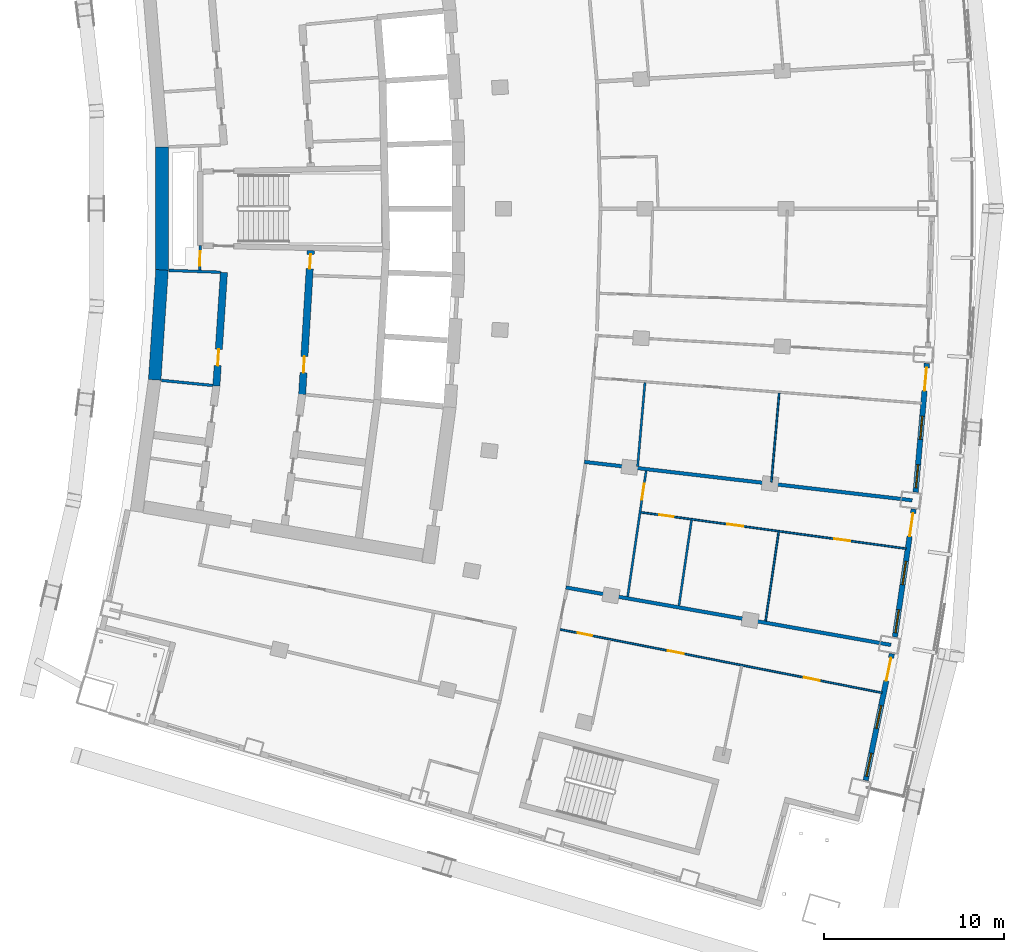
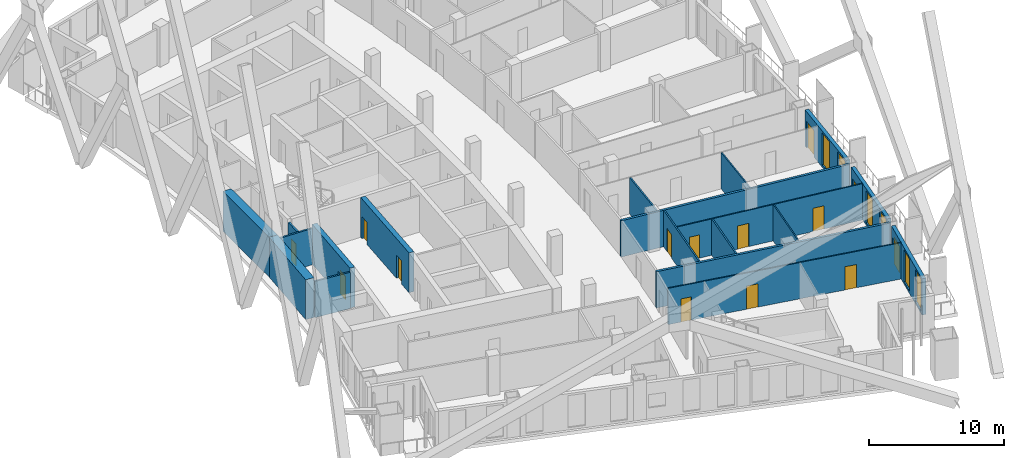
# One storey, part 13 of 22: 19 walls, 14 doors, 6 windows, 20 openings.
"""IFC4 building model written with IfcOpenShell, lengths in metres."""

from ifc_helpers import new_model, si_unit, direction, frame, frame_2d, origin, place, context, subcontext, project, spatial, rectangle, extrude, material, layer, layer_set, type_object, element, fill, save


model = new_model("IFC4")

# Units and contexts
model_context = context("Model", 3, precision=1e-05, world=origin(), true_north=direction((0.0, 1.0)))
body_context = subcontext(model_context, "Body", "Model", "MODEL_VIEW")
ifc_project = project(units=[si_unit("LENGTHUNIT", "METRE"), si_unit("AREAUNIT", "SQUARE_METRE"), si_unit("VOLUMEUNIT", "CUBIC_METRE"), si_unit("PLANEANGLEUNIT", "RADIAN"), si_unit("MASSUNIT", "GRAM", prefix="KILO")], contexts=[model_context])

# Site, building, storey
site_placement = place(None, origin())
site = spatial("IfcSite", under=ifc_project, at=site_placement, CompositionType="ELEMENT")
building_placement = place(site_placement, origin())
building = spatial("IfcBuilding", under=site, at=building_placement, Name="Alderwake Tower", CompositionType="ELEMENT")
storey_placement = place(building_placement, frame((0.0, 0.0, 160.39990234375)))
storey = spatial("IfcBuildingStorey", under=building, at=storey_placement, Name="L39", CompositionType="ELEMENT", Elevation=160.39990234375)

# Wall, opening, door
ifc_material_1 = material(Name="Gypsum shaft wall system, rated")
ifc_layer_1 = layer(ifc_material_1, 0.14990234375)
ifc_layer_set_1 = layer_set([ifc_layer_1], Name="Core room partition 150")
wall_type_1 = type_object("IfcWallType", Name="Core room partition 150", PredefinedType="PARTITIONING", material=ifc_layer_set_1)
wall_1_placement = place(storey_placement, frame((18.918701171875, 58.94384765625, 0.0), z_axis=(0.0, 0.0, 1.0), x_axis=(-0.027811602725, -0.999613182563, 0.0)))
wall_1 = element("IfcWall", 1, at=wall_1_placement, inside=storey, type_object=wall_type_1, Name="CW/L39/PA+24_-37", PredefinedType="PARTITIONING", context=body_context, shape_type="SweptSolid", body=[
    extrude(rectangle(XDim=1.369384765625, YDim=0.14990234375, at=frame_2d((0.6845703125, 0.0))), origin(), (0.0, 0.0, 1.0), 3.280029296875),
])
opening_1_placement = place(wall_1_placement, frame((0.322998046875, 0.0, 0.0)))
opening_1 = element("IfcOpeningElement", 2, at=opening_1_placement, cuts=wall_1, Name="Opening C004", PredefinedType="OPENING", context=body_context, shape_type="SweptSolid", body=[
    extrude(rectangle(XDim=0.800048828125, YDim=2.0, at=frame_2d((0.39990234375, 1.0))), frame((0.0, 0.0849609375, 0.0), z_axis=(0.0, -1.0, 0.0), x_axis=(1.0, 0.0, 0.0)), (0.0, 0.0, 1.0), 0.169921875),
])
ifc_material_2 = material(Name="Painted steel leaf, rated", Category="steel")
door_type_1 = type_object("IfcDoorType", Name="Riser access door 800", OperationType="SINGLE_SWING_LEFT", PredefinedType="DOOR", material=ifc_material_2)
door_1_placement = place(opening_1_placement, origin())
door_1 = element("IfcDoor", 3, at=door_1_placement, inside=storey, type_object=door_type_1, Name="Riser access door", OperationType="SINGLE_SWING_RIGHT", OverallHeight=2.0, OverallWidth=0.800048828125, PredefinedType="DOOR", context=body_context, shape_type="SweptSolid", body=[
    extrude(rectangle(XDim=0.800048828125, YDim=2.0, at=frame_2d((0.39990234375, 1.0))), frame((0.0, 0.02490234375, 0.0), z_axis=(0.0, -1.0, 0.0), x_axis=(1.0, 0.0, 0.0)), (0.0, 0.0, 1.0), 0.050048828125),
])
fill(opening_1, door_1)

# Walls
for number, where, z_axis, x_axis, name in (
    (4, (16.759033203125, 51.438720703125, 0.0), (0.0, 0.0, 1.0), (0.995151923206, -0.098349630095, 0.0), "CW/L39/PR-103_+0"),
    (5, (17.169189453125, 57.560546875, 0.0), (0.0, 0.0, 1.0), (0.999373538371, -0.03539111194, 0.0), "CW/L39/PR-37_+0"),
):
    element("IfcWall", number, at=place(storey_placement, frame(where, z_axis=z_axis, x_axis=x_axis)), inside=storey, type_object=wall_type_1, Name=name, PredefinedType="PARTITIONING", context=body_context, shape_type="SweptSolid", body=[
        extrude(rectangle(XDim=2.86962890625, YDim=0.14990234375, at=frame_2d((1.434814453125, 0.0))), origin(), (0.0, 0.0, 1.0), 3.280029296875),
    ])
ifc_material_3 = material(Name="Concrete C70/85", Category="concrete")
ifc_layer_2 = layer(ifc_material_3, 0.699951171875)
ifc_layer_set_2 = layer_set([ifc_layer_2], Name="Core wall outer 700 C70-85")
wall_type_2 = type_object("IfcWallType", Name="Core wall outer 700 C70-85", PredefinedType="SHEAR", material=ifc_layer_set_2)
wall_2_placement = place(storey_placement, frame((16.379638671875, 51.46337890625, 0.0), z_axis=(0.0, 0.0, 1.0), x_axis=(0.066917731608, 0.997758496429, 0.0)))
element("IfcWall", 6, at=wall_2_placement, inside=storey, type_object=wall_type_2, Name="Core wall CW.041", PredefinedType="SHEAR", context=body_context, shape_type="SweptSolid", body=[
    extrude(rectangle(XDim=6.136474609375, YDim=0.699951171875, at=frame_2d((3.068359375, 0.0))), origin(), (0.0, 0.0, 1.0), 3.60009765625),
])
wall_3_placement = place(storey_placement, frame((16.789306640625, 57.561767578125, 0.0), z_axis=(0.0, 0.0, 1.0), x_axis=(0.0, 1.0, 0.0)))
element("IfcWall", 7, at=wall_3_placement, inside=storey, type_object=wall_type_2, Name="Core wall CW.043", PredefinedType="SHEAR", context=body_context, shape_type="SweptSolid", body=[
    extrude(rectangle(XDim=6.87939453125, YDim=0.699951171875, at=frame_2d((3.439697265625, 0.0))), origin(), (0.0, 0.0, 1.0), 3.60009765625),
])

# Wall, opening, door
ifc_material_4 = material(Name="Concrete C70/85", Category="concrete")
ifc_layer_3 = layer(ifc_material_4, 0.39990234375)
ifc_layer_set_3 = layer_set([ifc_layer_3], Name="Core wall spine 400 C70-85")
wall_type_3 = type_object("IfcWallType", Name="Core wall spine 400 C70-85", PredefinedType="SHEAR", material=ifc_layer_set_3)
wall_4_placement = place(storey_placement, frame((20.2373046875, 57.451904296875, 0.0), z_axis=(0.0, 0.0, 1.0), x_axis=(-0.066887252767, -0.997760540118, 0.0)))
wall_4 = element("IfcWall", 8, at=wall_4_placement, inside=storey, type_object=wall_type_3, Name="Core wall CW.032", PredefinedType="SHEAR", context=body_context, shape_type="SweptSolid", body=[
    extrude(rectangle(XDim=6.33642578125, YDim=0.39990234375, at=frame_2d((3.168212890625, 0.0))), origin(), (0.0, 0.0, 1.0), 3.60009765625),
])
opening_2_placement = place(wall_4_placement, frame((4.29736328125, 0.0, 0.0)))
opening_2 = element("IfcOpeningElement", 9, at=opening_2_placement, cuts=wall_4, Name="Opening C040", PredefinedType="OPENING", context=body_context, shape_type="SweptSolid", body=[
    extrude(rectangle(XDim=0.89990234375, YDim=2.10009765625, at=frame_2d((0.449951171875, 1.050048828125))), frame((0.0, 0.2099609375, 0.0), z_axis=(0.0, -1.0, 0.0), x_axis=(1.0, 0.0, 0.0)), (0.0, 0.0, 1.0), 0.419921875),
])
ifc_material_5 = material(Name="Painted steel leaf", Category="steel")
door_type_2 = type_object("IfcDoorType", Name="Core room door 900", OperationType="SINGLE_SWING_LEFT", PredefinedType="DOOR", material=ifc_material_5)
door_2_placement = place(opening_2_placement, origin())
door_2 = element("IfcDoor", 10, at=door_2_placement, inside=storey, type_object=door_type_2, Name="Room door", OperationType="SINGLE_SWING_RIGHT", OverallHeight=2.10009765625, OverallWidth=0.89990234375, PredefinedType="DOOR", context=body_context, shape_type="SweptSolid", body=[
    extrude(rectangle(XDim=0.89990234375, YDim=2.10009765625, at=frame_2d((0.449951171875, 1.050048828125))), frame((0.0, 0.02490234375, 0.0), z_axis=(0.0, -1.0, 0.0), x_axis=(1.0, 0.0, 0.0)), (0.0, 0.0, 1.0), 0.050048828125),
])
fill(opening_2, door_2)

# Wall, openings, doors
wall_5_placement = place(storey_placement, frame((24.590087890625, 50.656982421875, 0.0), z_axis=(0.0, 0.0, 1.0), x_axis=(0.060320473855, 0.99817906231, 0.0)))
wall_5 = element("IfcWall", 11, at=wall_5_placement, inside=storey, type_object=wall_type_3, Name="Core wall CW.046", PredefinedType="SHEAR", context=body_context, shape_type="SweptSolid", body=[
    extrude(rectangle(XDim=8.02197265625, YDim=0.39990234375, at=frame_2d((4.010986328125, 0.0))), origin(), (0.0, 0.0, 1.0), 3.60009765625),
])
opening_3_placement = place(wall_5_placement, frame((7.005859375, 0.0, 0.0)))
opening_3 = element("IfcOpeningElement", 12, at=opening_3_placement, cuts=wall_5, Name="Opening C006", PredefinedType="OPENING", context=body_context, shape_type="SweptSolid", body=[
    extrude(rectangle(XDim=0.800048828125, YDim=2.0, at=frame_2d((0.39990234375, 1.0))), frame((0.0, 0.2099609375, 0.0), z_axis=(0.0, -1.0, 0.0), x_axis=(1.0, 0.0, 0.0)), (0.0, 0.0, 1.0), 0.419921875),
])
opening_4_placement = place(wall_5_placement, frame((1.21533203125, 0.0, 0.0)))
opening_4 = element("IfcOpeningElement", 13, at=opening_4_placement, cuts=wall_5, Name="Opening C046", PredefinedType="OPENING", context=body_context, shape_type="SweptSolid", body=[
    extrude(rectangle(XDim=0.89990234375, YDim=2.10009765625, at=frame_2d((0.449951171875, 1.050048828125))), frame((0.0, 0.2099609375, 0.0), z_axis=(0.0, -1.0, 0.0), x_axis=(1.0, 0.0, 0.0)), (0.0, 0.0, 1.0), 0.419921875),
])
door_3_placement = place(opening_4_placement, origin())
door_3 = element("IfcDoor", 14, at=door_3_placement, inside=storey, type_object=door_type_2, Name="Room door", OperationType="SINGLE_SWING_RIGHT", OverallHeight=2.10009765625, OverallWidth=0.89990234375, PredefinedType="DOOR", context=body_context, shape_type="SweptSolid", body=[
    extrude(rectangle(XDim=0.89990234375, YDim=2.10009765625, at=frame_2d((0.449951171875, 1.050048828125))), frame((0.0, 0.02490234375, 0.0), z_axis=(0.0, -1.0, 0.0), x_axis=(1.0, 0.0, 0.0)), (0.0, 0.0, 1.0), 0.050048828125),
])
fill(opening_4, door_3)
door_4_placement = place(opening_3_placement, origin())
door_4 = element("IfcDoor", 15, at=door_4_placement, inside=storey, type_object=door_type_1, Name="Riser access door", OperationType="SINGLE_SWING_RIGHT", OverallHeight=2.0, OverallWidth=0.800048828125, PredefinedType="DOOR", context=body_context, shape_type="SweptSolid", body=[
    extrude(rectangle(XDim=0.800048828125, YDim=2.0, at=frame_2d((0.39990234375, 1.0))), frame((0.0, 0.02490234375, 0.0), z_axis=(0.0, -1.0, 0.0), x_axis=(1.0, 0.0, 0.0)), (0.0, 0.0, 1.0), 0.050048828125),
])
fill(opening_3, door_4)

# Wall, openings, door, windows
ifc_material_6 = material(Name="Precast concrete C50/60 spandrel panel", Category="concrete")
ifc_layer_4 = layer(ifc_material_6, 0.300048828125)
ifc_layer_set_4 = layer_set([ifc_layer_4], Name="External wall EW1 Precast concrete C50/60 spandrel")
wall_type_4 = type_object("IfcWallType", Name="External wall EW1 Precast concrete C50/60 spandrel", PredefinedType="SOLIDWALL", material=ifc_layer_set_4)
wall_6_placement = place(storey_placement, frame((55.961669921875, 29.173095703125, 0.0), z_axis=(0.0, 0.0, 1.0), x_axis=(0.202737932552, 0.97923303187, 0.0)))
wall_6 = element("IfcWall", 16, at=wall_6_placement, inside=storey, type_object=wall_type_4, Name="External wall 12", PredefinedType="SOLIDWALL", context=body_context, shape_type="SweptSolid", body=[
    extrude(rectangle(XDim=7.19873046875, YDim=0.300048828125, at=frame_2d((3.599365234375, 0.0))), origin(), (0.0, 0.0, 1.0), 3.280029296875),
])
opening_5_placement = place(wall_6_placement, frame((0.2392578125, 0.0, 0.199951171875)))
opening_5 = element("IfcOpeningElement", 17, at=opening_5_placement, cuts=wall_6, Name="Opening W1", PredefinedType="OPENING", context=body_context, shape_type="SweptSolid", body=[
    extrude(rectangle(XDim=1.300048828125, YDim=2.89990234375, at=frame_2d((0.64990234375, 1.449951171875))), frame((0.0, 0.159912109375, 0.0), z_axis=(0.0, -1.0, 0.0), x_axis=(1.0, 0.0, 0.0)), (0.0, 0.0, 1.0), 0.320068359375),
])
opening_6_placement = place(wall_6_placement, frame((2.949462890625, 0.0, 0.199951171875)))
opening_6 = element("IfcOpeningElement", 18, at=opening_6_placement, cuts=wall_6, Name="Opening W1", PredefinedType="OPENING", context=body_context, shape_type="SweptSolid", body=[
    extrude(rectangle(XDim=1.300048828125, YDim=2.89990234375, at=frame_2d((0.64990234375, 1.449951171875))), frame((0.0, 0.159912109375, 0.0), z_axis=(0.0, -1.0, 0.0), x_axis=(1.0, 0.0, 0.0)), (0.0, 0.0, 1.0), 0.320068359375),
])
opening_7_placement = place(wall_6_placement, frame((5.659423828125, 0.0, 0.0)))
opening_7 = element("IfcOpeningElement", 19, at=opening_7_placement, cuts=wall_6, Name="Opening D02", PredefinedType="OPENING", context=body_context, shape_type="SweptSolid", body=[
    extrude(rectangle(XDim=1.300048828125, YDim=2.39990234375, at=frame_2d((0.64990234375, 1.199951171875))), frame((0.0, 0.159912109375, 0.0), z_axis=(0.0, -1.0, 0.0), x_axis=(1.0, 0.0, 0.0)), (0.0, 0.0, 1.0), 0.320068359375),
])
ifc_material_7 = material(Name="Bronze tinted glass in aluminium frame", Category="aluminium")
door_type_3 = type_object("IfcDoorType", Name="Balcony door BD sliding", OperationType="SLIDING_TO_LEFT", PredefinedType="DOOR", material=ifc_material_7)
door_5_placement = place(opening_7_placement, origin())
door_5 = element("IfcDoor", 20, at=door_5_placement, inside=storey, type_object=door_type_3, Name="Door D02", OperationType="SLIDING_TO_LEFT", OverallHeight=2.39990234375, OverallWidth=1.300048828125, PredefinedType="DOOR", context=body_context, shape_type="SweptSolid", body=[
    extrude(rectangle(XDim=1.300048828125, YDim=2.39990234375, at=frame_2d((0.64990234375, 1.199951171875))), frame((0.0, 0.02490234375, 0.0), z_axis=(0.0, -1.0, 0.0), x_axis=(1.0, 0.0, 0.0)), (0.0, 0.0, 1.0), 0.050048828125),
])
fill(opening_7, door_5)
ifc_material_8 = material(Name="Bronze tinted glass in aluminium frame", Category="aluminium")
window_type = type_object("IfcWindowType", Name="Window W1 tall fixed and vent", PartitioningType="DOUBLE_PANEL_VERTICAL", PredefinedType="WINDOW", material=ifc_material_8)
window_1_placement = place(opening_5_placement, origin())
window_1 = element("IfcWindow", 21, at=window_1_placement, inside=storey, type_object=window_type, Name="Window W1 tall fixed and vent", OverallHeight=2.89990234375, OverallWidth=1.300048828125, PartitioningType="DOUBLE_PANEL_VERTICAL", PredefinedType="WINDOW", context=body_context, shape_type="SweptSolid", body=[
    extrude(rectangle(XDim=1.300048828125, YDim=2.89990234375, at=frame_2d((0.64990234375, 1.449951171875))), frame((0.0, 0.030029296875, 0.0), z_axis=(0.0, -1.0, 0.0), x_axis=(1.0, 0.0, 0.0)), (0.0, 0.0, 1.0), 0.06005859375),
])
fill(opening_5, window_1)
window_2_placement = place(opening_6_placement, origin())
window_2 = element("IfcWindow", 22, at=window_2_placement, inside=storey, type_object=window_type, Name="Window W1 tall fixed and vent", OverallHeight=2.89990234375, OverallWidth=1.300048828125, PartitioningType="DOUBLE_PANEL_VERTICAL", PredefinedType="WINDOW", context=body_context, shape_type="SweptSolid", body=[
    extrude(rectangle(XDim=1.300048828125, YDim=2.89990234375, at=frame_2d((0.64990234375, 1.449951171875))), frame((0.0, 0.030029296875, 0.0), z_axis=(0.0, -1.0, 0.0), x_axis=(1.0, 0.0, 0.0)), (0.0, 0.0, 1.0), 0.06005859375),
])
fill(opening_6, window_2)

wall_7_placement = place(storey_placement, frame((57.585693359375, 37.15380859375, 0.0), z_axis=(0.0, 0.0, 1.0), x_axis=(0.145318248107, 0.989384963888, 0.0)))
wall_7 = element("IfcWall", 23, at=wall_7_placement, inside=storey, type_object=wall_type_4, Name="External wall 13", PredefinedType="SOLIDWALL", context=body_context, shape_type="SweptSolid", body=[
    extrude(rectangle(XDim=7.198974609375, YDim=0.300048828125, at=frame_2d((3.599609375, 0.0))), origin(), (0.0, 0.0, 1.0), 3.280029296875),
])
opening_8_placement = place(wall_7_placement, frame((0.2392578125, 0.0, 0.199951171875)))
opening_8 = element("IfcOpeningElement", 24, at=opening_8_placement, cuts=wall_7, Name="Opening W1", PredefinedType="OPENING", context=body_context, shape_type="SweptSolid", body=[
    extrude(rectangle(XDim=1.300048828125, YDim=2.89990234375, at=frame_2d((0.64990234375, 1.449951171875))), frame((0.0, 0.159912109375, 0.0), z_axis=(0.0, -1.0, 0.0), x_axis=(1.0, 0.0, 0.0)), (0.0, 0.0, 1.0), 0.320068359375),
])
opening_9_placement = place(wall_7_placement, frame((2.949462890625, 0.0, 0.199951171875)))
opening_9 = element("IfcOpeningElement", 25, at=opening_9_placement, cuts=wall_7, Name="Opening W1", PredefinedType="OPENING", context=body_context, shape_type="SweptSolid", body=[
    extrude(rectangle(XDim=1.300048828125, YDim=2.89990234375, at=frame_2d((0.64990234375, 1.449951171875))), frame((0.0, 0.159912109375, 0.0), z_axis=(0.0, -1.0, 0.0), x_axis=(1.0, 0.0, 0.0)), (0.0, 0.0, 1.0), 0.320068359375),
])
opening_10_placement = place(wall_7_placement, frame((5.65966796875, 0.0, 0.0)))
opening_10 = element("IfcOpeningElement", 26, at=opening_10_placement, cuts=wall_7, Name="Opening D03", PredefinedType="OPENING", context=body_context, shape_type="SweptSolid", body=[
    extrude(rectangle(XDim=1.300048828125, YDim=2.39990234375, at=frame_2d((0.64990234375, 1.199951171875))), frame((0.0, 0.159912109375, 0.0), z_axis=(0.0, -1.0, 0.0), x_axis=(1.0, 0.0, 0.0)), (0.0, 0.0, 1.0), 0.320068359375),
])
door_6_placement = place(opening_10_placement, origin())
door_6 = element("IfcDoor", 27, at=door_6_placement, inside=storey, type_object=door_type_3, Name="Door D03", OperationType="SLIDING_TO_LEFT", OverallHeight=2.39990234375, OverallWidth=1.300048828125, PredefinedType="DOOR", context=body_context, shape_type="SweptSolid", body=[
    extrude(rectangle(XDim=1.300048828125, YDim=2.39990234375, at=frame_2d((0.64990234375, 1.199951171875))), frame((0.0, 0.02490234375, 0.0), z_axis=(0.0, -1.0, 0.0), x_axis=(1.0, 0.0, 0.0)), (0.0, 0.0, 1.0), 0.050048828125),
])
fill(opening_10, door_6)
window_3_placement = place(opening_8_placement, origin())
window_3 = element("IfcWindow", 28, at=window_3_placement, inside=storey, type_object=window_type, Name="Window W1 tall fixed and vent", OverallHeight=2.89990234375, OverallWidth=1.300048828125, PartitioningType="DOUBLE_PANEL_VERTICAL", PredefinedType="WINDOW", context=body_context, shape_type="SweptSolid", body=[
    extrude(rectangle(XDim=1.300048828125, YDim=2.89990234375, at=frame_2d((0.64990234375, 1.449951171875))), frame((0.0, 0.030029296875, 0.0), z_axis=(0.0, -1.0, 0.0), x_axis=(1.0, 0.0, 0.0)), (0.0, 0.0, 1.0), 0.06005859375),
])
fill(opening_8, window_3)
window_4_placement = place(opening_9_placement, origin())
window_4 = element("IfcWindow", 29, at=window_4_placement, inside=storey, type_object=window_type, Name="Window W1 tall fixed and vent", OverallHeight=2.89990234375, OverallWidth=1.300048828125, PartitioningType="DOUBLE_PANEL_VERTICAL", PredefinedType="WINDOW", context=body_context, shape_type="SweptSolid", body=[
    extrude(rectangle(XDim=1.300048828125, YDim=2.89990234375, at=frame_2d((0.64990234375, 1.449951171875))), frame((0.0, 0.030029296875, 0.0), z_axis=(0.0, -1.0, 0.0), x_axis=(1.0, 0.0, 0.0)), (0.0, 0.0, 1.0), 0.06005859375),
])
fill(opening_9, window_4)

wall_8_placement = place(storey_placement, frame((58.741943359375, 45.2158203125, 0.0), z_axis=(0.0, 0.0, 1.0), x_axis=(0.087397918497, 0.996173480797, 0.0)))
wall_8 = element("IfcWall", 30, at=wall_8_placement, inside=storey, type_object=wall_type_4, Name="External wall 14", PredefinedType="SOLIDWALL", context=body_context, shape_type="SweptSolid", body=[
    extrude(rectangle(XDim=7.19873046875, YDim=0.300048828125, at=frame_2d((3.599365234375, 0.0))), origin(), (0.0, 0.0, 1.0), 3.280029296875),
])
opening_11_placement = place(wall_8_placement, frame((0.2392578125, 0.0, 0.199951171875)))
opening_11 = element("IfcOpeningElement", 31, at=opening_11_placement, cuts=wall_8, Name="Opening W1", PredefinedType="OPENING", context=body_context, shape_type="SweptSolid", body=[
    extrude(rectangle(XDim=1.300048828125, YDim=2.89990234375, at=frame_2d((0.64990234375, 1.449951171875))), frame((0.0, 0.159912109375, 0.0), z_axis=(0.0, -1.0, 0.0), x_axis=(1.0, 0.0, 0.0)), (0.0, 0.0, 1.0), 0.320068359375),
])
opening_12_placement = place(wall_8_placement, frame((2.949462890625, 0.0, 0.199951171875)))
opening_12 = element("IfcOpeningElement", 32, at=opening_12_placement, cuts=wall_8, Name="Opening W1", PredefinedType="OPENING", context=body_context, shape_type="SweptSolid", body=[
    extrude(rectangle(XDim=1.300048828125, YDim=2.89990234375, at=frame_2d((0.64990234375, 1.449951171875))), frame((0.0, 0.159912109375, 0.0), z_axis=(0.0, -1.0, 0.0), x_axis=(1.0, 0.0, 0.0)), (0.0, 0.0, 1.0), 0.320068359375),
])
opening_13_placement = place(wall_8_placement, frame((5.65966796875, 0.0, 0.0)))
opening_13 = element("IfcOpeningElement", 33, at=opening_13_placement, cuts=wall_8, Name="Opening D04", PredefinedType="OPENING", context=body_context, shape_type="SweptSolid", body=[
    extrude(rectangle(XDim=1.300048828125, YDim=2.39990234375, at=frame_2d((0.64990234375, 1.199951171875))), frame((0.0, 0.159912109375, 0.0), z_axis=(0.0, -1.0, 0.0), x_axis=(1.0, 0.0, 0.0)), (0.0, 0.0, 1.0), 0.320068359375),
])
door_7_placement = place(opening_13_placement, origin())
door_7 = element("IfcDoor", 34, at=door_7_placement, inside=storey, type_object=door_type_3, Name="Door D04", OperationType="SLIDING_TO_LEFT", OverallHeight=2.39990234375, OverallWidth=1.300048828125, PredefinedType="DOOR", context=body_context, shape_type="SweptSolid", body=[
    extrude(rectangle(XDim=1.300048828125, YDim=2.39990234375, at=frame_2d((0.64990234375, 1.199951171875))), frame((0.0, 0.02490234375, 0.0), z_axis=(0.0, -1.0, 0.0), x_axis=(1.0, 0.0, 0.0)), (0.0, 0.0, 1.0), 0.050048828125),
])
fill(opening_13, door_7)
window_5_placement = place(opening_11_placement, origin())
window_5 = element("IfcWindow", 35, at=window_5_placement, inside=storey, type_object=window_type, Name="Window W1 tall fixed and vent", OverallHeight=2.89990234375, OverallWidth=1.300048828125, PartitioningType="DOUBLE_PANEL_VERTICAL", PredefinedType="WINDOW", context=body_context, shape_type="SweptSolid", body=[
    extrude(rectangle(XDim=1.300048828125, YDim=2.89990234375, at=frame_2d((0.64990234375, 1.449951171875))), frame((0.0, 0.030029296875, 0.0), z_axis=(0.0, -1.0, 0.0), x_axis=(1.0, 0.0, 0.0)), (0.0, 0.0, 1.0), 0.06005859375),
])
fill(opening_11, window_5)
window_6_placement = place(opening_12_placement, origin())
window_6 = element("IfcWindow", 36, at=window_6_placement, inside=storey, type_object=window_type, Name="Window W1 tall fixed and vent", OverallHeight=2.89990234375, OverallWidth=1.300048828125, PartitioningType="DOUBLE_PANEL_VERTICAL", PredefinedType="WINDOW", context=body_context, shape_type="SweptSolid", body=[
    extrude(rectangle(XDim=1.300048828125, YDim=2.89990234375, at=frame_2d((0.64990234375, 1.449951171875))), frame((0.0, 0.030029296875, 0.0), z_axis=(0.0, -1.0, 0.0), x_axis=(1.0, 0.0, 0.0)), (0.0, 0.0, 1.0), 0.06005859375),
])
fill(opening_12, window_6)

# Walls
ifc_material_9 = material(Name="Dense block masonry wall", Category="masonry")
ifc_layer_5 = layer(ifc_material_9, 0.199951171875)
ifc_layer_set_5 = layer_set([ifc_layer_5], Name="Party wall 200")
wall_type_5 = type_object("IfcWallType", Name="Party wall 200", PredefinedType="SOLIDWALL", material=ifc_layer_set_5)
wall_9_placement = place(storey_placement, frame((39.269287109375, 39.910888671875, 0.0), z_axis=(0.0, 0.0, 1.0), x_axis=(0.98472855116, -0.174096756232, 0.0)))
element("IfcWall", 37, at=wall_9_placement, inside=storey, type_object=wall_type_5, Name="WL/L39/W01", PredefinedType="SOLIDWALL", context=body_context, shape_type="SweptSolid", body=[
    extrude(rectangle(XDim=18.38037109375, YDim=0.199951171875, at=frame_2d((9.190185546875, 0.0))), origin(), (0.0, 0.0, 1.0), 3.280029296875),
])
wall_10_placement = place(storey_placement, frame((58.551025390625, 44.762939453125, 0.0), z_axis=(0.0, 0.0, 1.0), x_axis=(-0.993201379806, 0.116408844812, 0.0)))
element("IfcWall", 38, at=wall_10_placement, inside=storey, type_object=wall_type_5, Name="WL/L39/W03", PredefinedType="SOLIDWALL", context=body_context, shape_type="SweptSolid", body=[
    extrude(rectangle(XDim=18.37841796875, YDim=0.199951171875, at=frame_2d((9.189208984375, 0.0))), origin(), (0.0, 0.0, 1.0), 3.280029296875),
])

# Wall, openings, doors
ifc_material_10 = material(Name="Gypsum board on metal studs")
ifc_layer_6 = layer(ifc_material_10, 0.10009765625)
ifc_layer_set_6 = layer_set([ifc_layer_6], Name="Unit partition 100")
wall_type_6 = type_object("IfcWallType", Name="Unit partition 100", PredefinedType="PARTITIONING", material=ifc_layer_set_6)
wall_11_placement = place(storey_placement, frame((56.867919921875, 34.047119140625, 0.0), z_axis=(0.0, 0.0, 1.0), x_axis=(-0.981169544474, 0.19314845326, 0.0)))
wall_11 = element("IfcWall", 39, at=wall_11_placement, inside=storey, type_object=wall_type_6, Name="WL/L39/W43", PredefinedType="PARTITIONING", context=body_context, shape_type="SweptSolid", body=[
    extrude(rectangle(XDim=18.262451171875, YDim=0.10009765625, at=frame_2d((9.13134765625, 0.0))), origin(), (0.0, 0.0, 1.0), 3.280029296875),
])
opening_14_placement = place(wall_11_placement, frame((11.246826171875, 0.0, 0.0)))
opening_14 = element("IfcOpeningElement", 40, at=opening_14_placement, cuts=wall_11, Name="Opening R11-U03.1", PredefinedType="OPENING", context=body_context, shape_type="SweptSolid", body=[
    extrude(rectangle(XDim=0.89990234375, YDim=2.10009765625, at=frame_2d((0.449951171875, 1.050048828125))), frame((0.0, 0.06005859375, 0.0), z_axis=(0.0, -1.0, 0.0), x_axis=(1.0, 0.0, 0.0)), (0.0, 0.0, 1.0), 0.1201171875),
])
opening_15_placement = place(wall_11_placement, frame((16.452880859375, 0.0, 0.0)))
opening_15 = element("IfcOpeningElement", 41, at=opening_15_placement, cuts=wall_11, Name="Opening R11-U03.3", PredefinedType="OPENING", context=body_context, shape_type="SweptSolid", body=[
    extrude(rectangle(XDim=0.800048828125, YDim=2.10009765625, at=frame_2d((0.39990234375, 1.050048828125))), frame((0.0, 0.06005859375, 0.0), z_axis=(0.0, -1.0, 0.0), x_axis=(1.0, 0.0, 0.0)), (0.0, 0.0, 1.0), 0.1201171875),
])
opening_16_placement = place(wall_11_placement, frame((3.52490234375, 0.0, 0.0)))
opening_16 = element("IfcOpeningElement", 42, at=opening_16_placement, cuts=wall_11, Name="Opening R11-U03.4", PredefinedType="OPENING", context=body_context, shape_type="SweptSolid", body=[
    extrude(rectangle(XDim=0.89990234375, YDim=2.10009765625, at=frame_2d((0.449951171875, 1.050048828125))), frame((0.0, 0.06005859375, 0.0), z_axis=(0.0, -1.0, 0.0), x_axis=(1.0, 0.0, 0.0)), (0.0, 0.0, 1.0), 0.1201171875),
])
ifc_material_11 = material(Name="Painted timber leaf", Category="wood")
door_type_4 = type_object("IfcDoorType", Name="Bathroom door 800", OperationType="SINGLE_SWING_LEFT", PredefinedType="DOOR", material=ifc_material_11)
door_8_placement = place(opening_15_placement, origin())
door_8 = element("IfcDoor", 43, at=door_8_placement, inside=storey, type_object=door_type_4, Name="DR/L39/U03.3", OperationType="SINGLE_SWING_LEFT", OverallHeight=2.10009765625, OverallWidth=0.800048828125, PredefinedType="DOOR", context=body_context, shape_type="SweptSolid", body=[
    extrude(rectangle(XDim=0.800048828125, YDim=2.10009765625, at=frame_2d((0.39990234375, 1.050048828125))), frame((0.0, 0.02490234375, 0.0), z_axis=(0.0, -1.0, 0.0), x_axis=(1.0, 0.0, 0.0)), (0.0, 0.0, 1.0), 0.050048828125),
])
fill(opening_15, door_8)
ifc_material_12 = material(Name="Painted timber leaf", Category="wood")
door_type_5 = type_object("IfcDoorType", Name="Room door 900", OperationType="SINGLE_SWING_LEFT", PredefinedType="DOOR", material=ifc_material_12)
door_9_placement = place(opening_14_placement, origin())
door_9 = element("IfcDoor", 44, at=door_9_placement, inside=storey, type_object=door_type_5, Name="DR/L39/U03.1", OperationType="SINGLE_SWING_LEFT", OverallHeight=2.10009765625, OverallWidth=0.89990234375, PredefinedType="DOOR", context=body_context, shape_type="SweptSolid", body=[
    extrude(rectangle(XDim=0.89990234375, YDim=2.10009765625, at=frame_2d((0.449951171875, 1.050048828125))), frame((0.0, 0.02490234375, 0.0), z_axis=(0.0, -1.0, 0.0), x_axis=(1.0, 0.0, 0.0)), (0.0, 0.0, 1.0), 0.050048828125),
])
fill(opening_14, door_9)
door_10_placement = place(opening_16_placement, origin())
door_10 = element("IfcDoor", 45, at=door_10_placement, inside=storey, type_object=door_type_5, Name="DR/L39/U03.4", OperationType="SINGLE_SWING_LEFT", OverallHeight=2.10009765625, OverallWidth=0.89990234375, PredefinedType="DOOR", context=body_context, shape_type="SweptSolid", body=[
    extrude(rectangle(XDim=0.89990234375, YDim=2.10009765625, at=frame_2d((0.449951171875, 1.050048828125))), frame((0.0, 0.02490234375, 0.0), z_axis=(0.0, -1.0, 0.0), x_axis=(1.0, 0.0, 0.0)), (0.0, 0.0, 1.0), 0.050048828125),
])
fill(opening_16, door_10)

wall_12_placement = place(storey_placement, frame((58.2060546875, 42.072021484375, 0.0), z_axis=(0.0, 0.0, 1.0), x_axis=(-0.990748936324, 0.135707572274, 0.0)))
wall_12 = element("IfcWall", 46, at=wall_12_placement, inside=storey, type_object=wall_type_6, Name="WL/L39/W48", PredefinedType="PARTITIONING", context=body_context, shape_type="SweptSolid", body=[
    extrude(rectangle(XDim=14.88330078125, YDim=0.10009765625, at=frame_2d((7.441650390625, 0.0))), origin(), (0.0, 0.0, 1.0), 3.280029296875),
])
opening_17_placement = place(wall_12_placement, frame((9.14599609375, 0.0, 0.0)))
opening_17 = element("IfcOpeningElement", 47, at=opening_17_placement, cuts=wall_12, Name="Opening R11-U04.1", PredefinedType="OPENING", context=body_context, shape_type="SweptSolid", body=[
    extrude(rectangle(XDim=0.89990234375, YDim=2.10009765625, at=frame_2d((0.449951171875, 1.050048828125))), frame((0.0, 0.06005859375, 0.0), z_axis=(0.0, -1.0, 0.0), x_axis=(1.0, 0.0, 0.0)), (0.0, 0.0, 1.0), 0.1201171875),
])
opening_18_placement = place(wall_12_placement, frame((13.063720703125, 0.0, 0.0)))
opening_18 = element("IfcOpeningElement", 48, at=opening_18_placement, cuts=wall_12, Name="Opening R11-U04.4", PredefinedType="OPENING", context=body_context, shape_type="SweptSolid", body=[
    extrude(rectangle(XDim=0.800048828125, YDim=2.10009765625, at=frame_2d((0.39990234375, 1.050048828125))), frame((0.0, 0.06005859375, 0.0), z_axis=(0.0, -1.0, 0.0), x_axis=(1.0, 0.0, 0.0)), (0.0, 0.0, 1.0), 0.1201171875),
])
opening_19_placement = place(wall_12_placement, frame((3.1240234375, 0.0, 0.0)))
opening_19 = element("IfcOpeningElement", 49, at=opening_19_placement, cuts=wall_12, Name="Opening R11-U04.5", PredefinedType="OPENING", context=body_context, shape_type="SweptSolid", body=[
    extrude(rectangle(XDim=0.89990234375, YDim=2.10009765625, at=frame_2d((0.449951171875, 1.050048828125))), frame((0.0, 0.06005859375, 0.0), z_axis=(0.0, -1.0, 0.0), x_axis=(1.0, 0.0, 0.0)), (0.0, 0.0, 1.0), 0.1201171875),
])
door_11_placement = place(opening_18_placement, origin())
door_11 = element("IfcDoor", 50, at=door_11_placement, inside=storey, type_object=door_type_4, Name="DR/L39/U04.4", OperationType="SINGLE_SWING_LEFT", OverallHeight=2.10009765625, OverallWidth=0.800048828125, PredefinedType="DOOR", context=body_context, shape_type="SweptSolid", body=[
    extrude(rectangle(XDim=0.800048828125, YDim=2.10009765625, at=frame_2d((0.39990234375, 1.050048828125))), frame((0.0, 0.02490234375, 0.0), z_axis=(0.0, -1.0, 0.0), x_axis=(1.0, 0.0, 0.0)), (0.0, 0.0, 1.0), 0.050048828125),
])
fill(opening_18, door_11)
door_12_placement = place(opening_17_placement, origin())
door_12 = element("IfcDoor", 51, at=door_12_placement, inside=storey, type_object=door_type_5, Name="DR/L39/U04.1", OperationType="SINGLE_SWING_LEFT", OverallHeight=2.10009765625, OverallWidth=0.89990234375, PredefinedType="DOOR", context=body_context, shape_type="SweptSolid", body=[
    extrude(rectangle(XDim=0.89990234375, YDim=2.10009765625, at=frame_2d((0.449951171875, 1.050048828125))), frame((0.0, 0.02490234375, 0.0), z_axis=(0.0, -1.0, 0.0), x_axis=(1.0, 0.0, 0.0)), (0.0, 0.0, 1.0), 0.050048828125),
])
fill(opening_17, door_12)
door_13_placement = place(opening_19_placement, origin())
door_13 = element("IfcDoor", 52, at=door_13_placement, inside=storey, type_object=door_type_5, Name="DR/L39/U04.5", OperationType="SINGLE_SWING_LEFT", OverallHeight=2.10009765625, OverallWidth=0.89990234375, PredefinedType="DOOR", context=body_context, shape_type="SweptSolid", body=[
    extrude(rectangle(XDim=0.89990234375, YDim=2.10009765625, at=frame_2d((0.449951171875, 1.050048828125))), frame((0.0, 0.02490234375, 0.0), z_axis=(0.0, -1.0, 0.0), x_axis=(1.0, 0.0, 0.0)), (0.0, 0.0, 1.0), 0.050048828125),
])
fill(opening_19, door_13)

# Walls
wall_13_placement = place(storey_placement, frame((50.390380859375, 38.0458984375, 0.0), z_axis=(0.0, 0.0, 1.0), x_axis=(0.145112912373, 0.989415101291, 0.0)))
element("IfcWall", 53, at=wall_13_placement, inside=storey, type_object=wall_type_6, Name="WL/L39/W50", PredefinedType="PARTITIONING", context=body_context, shape_type="SweptSolid", body=[
    extrude(rectangle(XDim=4.99853515625, YDim=0.10009765625, at=frame_2d((2.499267578125, 0.0))), origin(), (0.0, 0.0, 1.0), 3.280029296875),
])
wall_14_placement = place(storey_placement, frame((50.711669921875, 45.78076171875, 0.0), z_axis=(0.0, 0.0, 1.0), x_axis=(0.087352937881, 0.996177426086, 0.0)))
element("IfcWall", 54, at=wall_14_placement, inside=storey, type_object=wall_type_6, Name="WL/L39/W51", PredefinedType="PARTITIONING", context=body_context, shape_type="SweptSolid", body=[
    extrude(rectangle(XDim=4.966552734375, YDim=0.10009765625, at=frame_2d((2.4833984375, 0.0))), origin(), (0.0, 0.0, 1.0), 3.280029296875),
])

# Wall, opening, door
ifc_material_13 = material(Name="Moisture resistant gypsum board on metal studs")
ifc_layer_7 = layer(ifc_material_13, 0.1201171875)
ifc_layer_set_7 = layer_set([ifc_layer_7], Name="Wet room partition 120")
wall_type_7 = type_object("IfcWallType", Name="Wet room partition 120", PredefinedType="PARTITIONING", material=ifc_layer_set_7)
wall_15_placement = place(storey_placement, frame((43.737548828125, 46.39794921875, 0.0), z_axis=(0.0, 0.0, 1.0), x_axis=(-0.145317973425, -0.989385004232, 0.0)))
wall_15 = element("IfcWall", 55, at=wall_15_placement, inside=storey, type_object=wall_type_7, Name="WL/L39/W34", PredefinedType="PARTITIONING", context=body_context, shape_type="SweptSolid", body=[
    extrude(rectangle(XDim=7.06787109375, YDim=0.1201171875, at=frame_2d((3.533935546875, 0.0))), origin(), (0.0, 0.0, 1.0), 3.280029296875),
])
opening_20_placement = place(wall_15_placement, frame((0.71142578125, 0.0, 0.0)))
opening_20 = element("IfcOpeningElement", 56, at=opening_20_placement, cuts=wall_15, Name="Opening R11-U04.3", PredefinedType="OPENING", context=body_context, shape_type="SweptSolid", body=[
    extrude(rectangle(XDim=0.89990234375, YDim=2.10009765625, at=frame_2d((0.449951171875, 1.050048828125))), frame((0.0, 0.070068359375, 0.0), z_axis=(0.0, -1.0, 0.0), x_axis=(1.0, 0.0, 0.0)), (0.0, 0.0, 1.0), 0.14013671875),
])
door_14_placement = place(opening_20_placement, origin())
door_14 = element("IfcDoor", 57, at=door_14_placement, inside=storey, type_object=door_type_5, Name="DR/L39/U04.3", OperationType="SINGLE_SWING_LEFT", OverallHeight=2.10009765625, OverallWidth=0.89990234375, PredefinedType="DOOR", context=body_context, shape_type="SweptSolid", body=[
    extrude(rectangle(XDim=0.89990234375, YDim=2.10009765625, at=frame_2d((0.449951171875, 1.050048828125))), frame((0.0, 0.02490234375, 0.0), z_axis=(0.0, -1.0, 0.0), x_axis=(1.0, 0.0, 0.0)), (0.0, 0.0, 1.0), 0.050048828125),
])
fill(opening_20, door_14)

# Walls
wall_16_placement = place(storey_placement, frame((43.265625, 46.65380859375, 0.0), z_axis=(0.0, 0.0, 1.0), x_axis=(0.087069112872, 0.996202273428, 0.0)))
element("IfcWall", 58, at=wall_16_placement, inside=storey, type_object=wall_type_7, Name="WL/L39/W36", PredefinedType="PARTITIONING", context=body_context, shape_type="SweptSolid", body=[
    extrude(rectangle(XDim=4.67431640625, YDim=0.1201171875, at=frame_2d((2.337158203125, 0.0))), origin(), (0.0, 0.0, 1.0), 3.280029296875),
])
wall_17_placement = place(storey_placement, frame((45.56640625, 38.90087890625, 0.0), z_axis=(0.0, 0.0, 1.0), x_axis=(0.145238137818, 0.989396726962, 0.0)))
element("IfcWall", 59, at=wall_17_placement, inside=storey, type_object=wall_type_7, Name="WL/L39/W41", PredefinedType="PARTITIONING", context=body_context, shape_type="SweptSolid", body=[
    extrude(rectangle(XDim=4.8076171875, YDim=0.1201171875, at=frame_2d((2.40380859375, 0.0))), origin(), (0.0, 0.0, 1.0), 3.280029296875),
])

save(model, "model.ifc")
